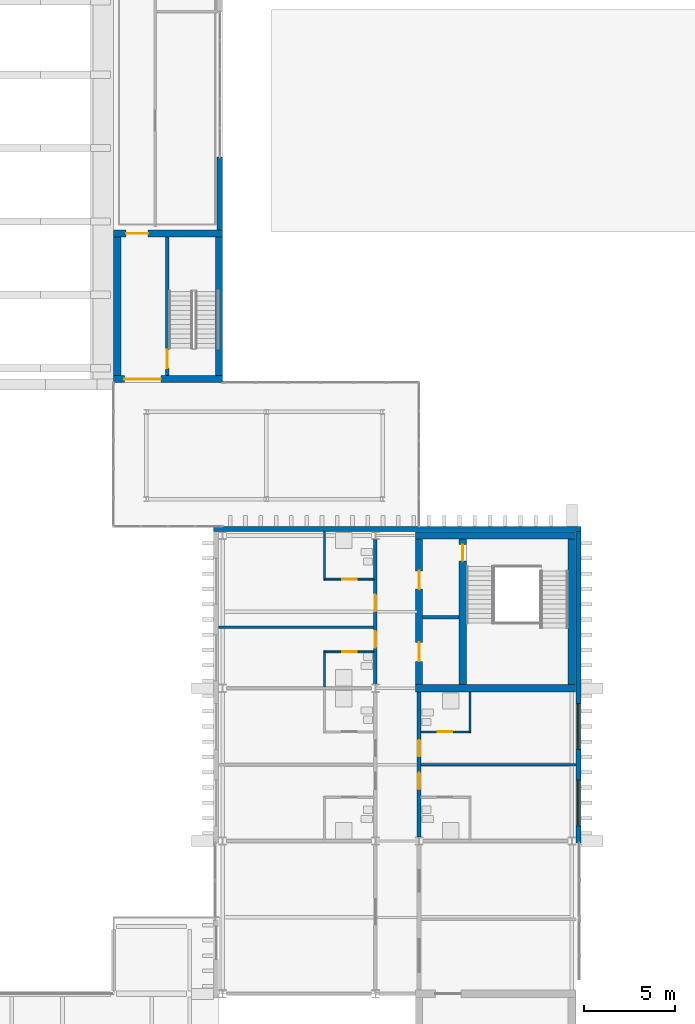
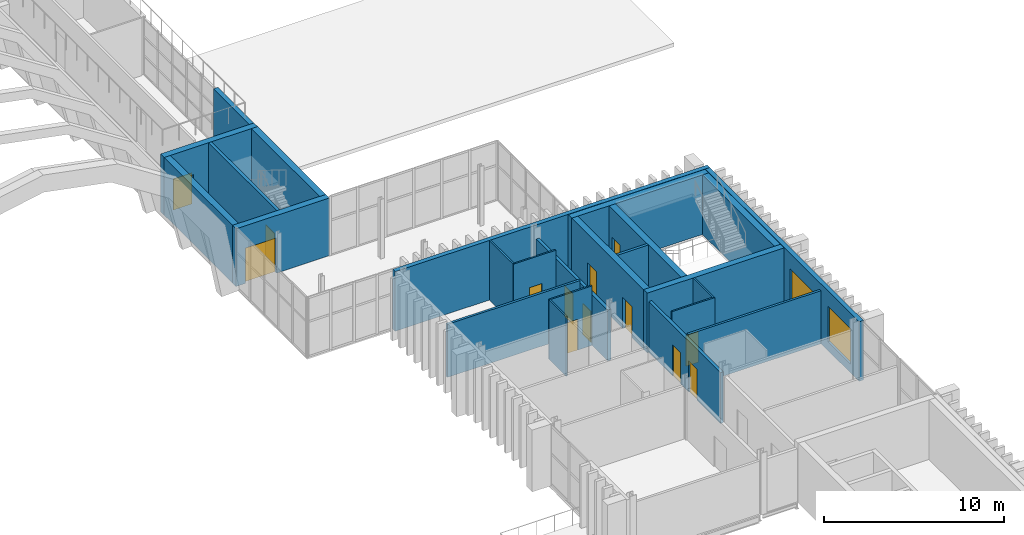
# One storey, part 71 of 96: 24 walls, 13 doors, 2 windows, 15 openings.
"""IFC4 building model written with IfcOpenShell, lengths in metres."""

from ifc_helpers import new_model, si_unit, direction, frame, frame_2d, origin, place, context, subcontext, project, spatial, rectangle, extrude, material, layer, layer_set, type_object, element, fill, save


model = new_model("IFC4")

# Units and contexts
model_context = context("Model", 3, precision=1e-05, world=origin(), true_north=direction((0.0, 1.0)))
body_context = subcontext(model_context, "Body", "Model", "MODEL_VIEW")
ifc_project = project(units=[si_unit("LENGTHUNIT", "METRE"), si_unit("AREAUNIT", "SQUARE_METRE"), si_unit("VOLUMEUNIT", "CUBIC_METRE"), si_unit("PLANEANGLEUNIT", "RADIAN"), si_unit("MASSUNIT", "GRAM", prefix="KILO")], contexts=[model_context])

# Site, building, storey
site_placement = place(None, origin())
site = spatial("IfcSite", under=ifc_project, at=site_placement, CompositionType="ELEMENT")
building_placement = place(site_placement, origin())
building = spatial("IfcBuilding", under=site, at=building_placement, Name="Cresset Court Congress Hotel", CompositionType="ELEMENT")
storey_placement = place(building_placement, frame((0.0, 0.0, 6.0)))
storey = spatial("IfcBuildingStorey", under=building, at=storey_placement, Name="L01", CompositionType="ELEMENT", Elevation=6.0)

# Wall, openings, doors
ifc_material_1 = material(Name="Gypsum board partition")
ifc_layer_1 = layer(ifc_material_1, 0.199951171875)
ifc_layer_set_1 = layer_set([ifc_layer_1], Name="Corridor wall 200")
wall_type_1 = type_object("IfcWallType", Name="Corridor wall 200", PredefinedType="PARTITIONING", material=ifc_layer_set_1)
wall_1_placement = place(storey_placement, frame((165.60009765625, 59.013916015625, 0.0), z_axis=(0.0, 0.0, 1.0), x_axis=(0.0, 1.0, 0.0)))
wall_1 = element("IfcWall", 1, at=wall_1_placement, inside=storey, type_object=wall_type_1, Name="A.wl.L01.024", PredefinedType="PARTITIONING", context=body_context, shape_type="SweptSolid", body=[
    extrude(rectangle(XDim=7.97216796875, YDim=0.199951171875, at=frame_2d((3.986083984375, 0.0))), origin(), (0.0, 0.0, 1.0), 3.449951171875),
])
opening_1_placement = place(wall_1_placement, frame((2.01611328125, 0.0, 0.0)))
opening_1 = element("IfcOpeningElement", 2, at=opening_1_placement, cuts=wall_1, Name="Opening DA-01-06", PredefinedType="OPENING", context=body_context, shape_type="SweptSolid", body=[
    extrude(rectangle(XDim=0.89990234375, YDim=2.10009765625, at=frame_2d((0.449951171875, 1.050048828125))), frame((0.0, 0.10986328125, 0.0), z_axis=(0.0, -1.0, 0.0), x_axis=(1.0, 0.0, 0.0)), (0.0, 0.0, 1.0), 0.219970703125),
])
opening_2_placement = place(wall_1_placement, frame((4.01611328125, 0.0, 0.0)))
opening_2 = element("IfcOpeningElement", 3, at=opening_2_placement, cuts=wall_1, Name="Opening DA-01-08", PredefinedType="OPENING", context=body_context, shape_type="SweptSolid", body=[
    extrude(rectangle(XDim=0.89990234375, YDim=2.10009765625, at=frame_2d((0.449951171875, 1.050048828125))), frame((0.0, 0.10986328125, 0.0), z_axis=(0.0, -1.0, 0.0), x_axis=(1.0, 0.0, 0.0)), (0.0, 0.0, 1.0), 0.219970703125),
])
ifc_material_2 = material(Name="timber", Category="wood")
door_type_1 = type_object("IfcDoorType", Name="Guest-room entry door 900x2100 FD30S", OperationType="SINGLE_SWING_LEFT", PredefinedType="DOOR", material=ifc_material_2)
door_1_placement = place(opening_1_placement, origin())
door_1 = element("IfcDoor", 4, at=door_1_placement, inside=storey, type_object=door_type_1, Name="Door DA-01-06", OperationType="SINGLE_SWING_RIGHT", OverallHeight=2.10009765625, OverallWidth=0.89990234375, PredefinedType="DOOR", context=body_context, shape_type="SweptSolid", body=[
    extrude(rectangle(XDim=0.89990234375, YDim=2.10009765625, at=frame_2d((0.449951171875, 1.050048828125))), frame((0.0, 0.02490234375, 0.0), z_axis=(0.0, -1.0, 0.0), x_axis=(1.0, 0.0, 0.0)), (0.0, 0.0, 1.0), 0.050048828125),
])
fill(opening_1, door_1)
door_2_placement = place(opening_2_placement, origin())
door_2 = element("IfcDoor", 5, at=door_2_placement, inside=storey, type_object=door_type_1, Name="Door DA-01-08", OperationType="SINGLE_SWING_LEFT", OverallHeight=2.10009765625, OverallWidth=0.89990234375, PredefinedType="DOOR", context=body_context, shape_type="SweptSolid", body=[
    extrude(rectangle(XDim=0.89990234375, YDim=2.10009765625, at=frame_2d((0.449951171875, 1.050048828125))), frame((0.0, 0.02490234375, 0.0), z_axis=(0.0, -1.0, 0.0), x_axis=(1.0, 0.0, 0.0)), (0.0, 0.0, 1.0), 0.050048828125),
])
fill(opening_2, door_2)

wall_2_placement = place(storey_placement, frame((168.0, 50.614013671875, 0.0), z_axis=(0.0, 0.0, 1.0), x_axis=(0.0, 1.0, 0.0)))
wall_2 = element("IfcWall", 6, at=wall_2_placement, inside=storey, type_object=wall_type_1, Name="A.wl.L01.026", PredefinedType="PARTITIONING", context=body_context, shape_type="SweptSolid", body=[
    extrude(rectangle(XDim=7.986083984375, YDim=0.199951171875, at=frame_2d((3.9931640625, 0.0))), origin(), (0.0, 0.0, 1.0), 3.449951171875),
])
opening_3_placement = place(wall_2_placement, frame((2.635986328125, 0.0, 0.0)))
opening_3 = element("IfcOpeningElement", 7, at=opening_3_placement, cuts=wall_2, Name="Opening DA-01-10", PredefinedType="OPENING", context=body_context, shape_type="SweptSolid", body=[
    extrude(rectangle(XDim=0.89990234375, YDim=2.10009765625, at=frame_2d((0.449951171875, 1.050048828125))), frame((0.0, 0.10986328125, 0.0), z_axis=(0.0, -1.0, 0.0), x_axis=(1.0, 0.0, 0.0)), (0.0, 0.0, 1.0), 0.219970703125),
])
opening_4_placement = place(wall_2_placement, frame((4.43603515625, 0.0, 0.0)))
opening_4 = element("IfcOpeningElement", 8, at=opening_4_placement, cuts=wall_2, Name="Opening DA-01-12", PredefinedType="OPENING", context=body_context, shape_type="SweptSolid", body=[
    extrude(rectangle(XDim=0.89990234375, YDim=2.10009765625, at=frame_2d((0.449951171875, 1.050048828125))), frame((0.0, 0.10986328125, 0.0), z_axis=(0.0, -1.0, 0.0), x_axis=(1.0, 0.0, 0.0)), (0.0, 0.0, 1.0), 0.219970703125),
])
door_3_placement = place(opening_3_placement, origin())
door_3 = element("IfcDoor", 9, at=door_3_placement, inside=storey, type_object=door_type_1, Name="Door DA-01-10", OperationType="SINGLE_SWING_RIGHT", OverallHeight=2.10009765625, OverallWidth=0.89990234375, PredefinedType="DOOR", context=body_context, shape_type="SweptSolid", body=[
    extrude(rectangle(XDim=0.89990234375, YDim=2.10009765625, at=frame_2d((0.449951171875, 1.050048828125))), frame((0.0, 0.02490234375, 0.0), z_axis=(0.0, -1.0, 0.0), x_axis=(1.0, 0.0, 0.0)), (0.0, 0.0, 1.0), 0.050048828125),
])
fill(opening_3, door_3)
door_4_placement = place(opening_4_placement, origin())
door_4 = element("IfcDoor", 10, at=door_4_placement, inside=storey, type_object=door_type_1, Name="Door DA-01-12", OperationType="SINGLE_SWING_LEFT", OverallHeight=2.10009765625, OverallWidth=0.89990234375, PredefinedType="DOOR", context=body_context, shape_type="SweptSolid", body=[
    extrude(rectangle(XDim=0.89990234375, YDim=2.10009765625, at=frame_2d((0.449951171875, 1.050048828125))), frame((0.0, 0.02490234375, 0.0), z_axis=(0.0, -1.0, 0.0), x_axis=(1.0, 0.0, 0.0)), (0.0, 0.0, 1.0), 0.050048828125),
])
fill(opening_4, door_4)

# Wall
ifc_material_3 = material(Name="Gypsum board partition")
ifc_layer_2 = layer(ifc_material_3, 0.10009765625)
ifc_layer_set_2 = layer_set([ifc_layer_2], Name="En-suite wall 100")
wall_type_2 = type_object("IfcWallType", Name="En-suite wall 100", PredefinedType="PARTITIONING", material=ifc_layer_set_2)
wall_3_placement = place(storey_placement, frame((162.800048828125, 58.875, 0.0), z_axis=(0.0, 0.0, 1.0), x_axis=(0.0, 1.0, 0.0)))
element("IfcWall", 11, at=wall_3_placement, inside=storey, type_object=wall_type_2, Name="A.wl.L01.006", PredefinedType="PARTITIONING", context=body_context, shape_type="SweptSolid", body=[
    extrude(rectangle(XDim=1.925048828125, YDim=0.10009765625, at=frame_2d((0.96240234375, 0.0))), origin(), (0.0, 0.0, 1.0), 4.050048828125),
])

# Wall, opening, door
wall_4_placement = place(storey_placement, frame((162.75, 60.800048828125, 0.0), z_axis=(0.0, 0.0, 1.0), x_axis=(1.0, 0.0, 0.0)))
wall_4 = element("IfcWall", 12, at=wall_4_placement, inside=storey, type_object=wall_type_2, Name="A.wl.L01.007", PredefinedType="PARTITIONING", context=body_context, shape_type="SweptSolid", body=[
    extrude(rectangle(XDim=2.75, YDim=0.10009765625, at=frame_2d((1.375, 0.0))), origin(), (0.0, 0.0, 1.0), 4.050048828125),
])
opening_5_placement = place(wall_4_placement, frame((1.030029296875, 0.0, 0.0)))
opening_5 = element("IfcOpeningElement", 13, at=opening_5_placement, cuts=wall_4, Name="Opening DA-01-05", PredefinedType="OPENING", context=body_context, shape_type="SweptSolid", body=[
    extrude(rectangle(XDim=0.800048828125, YDim=2.10009765625, at=frame_2d((0.39990234375, 1.050048828125))), frame((0.0, 0.06005859375, 0.0), z_axis=(0.0, -1.0, 0.0), x_axis=(1.0, 0.0, 0.0)), (0.0, 0.0, 1.0), 0.1201171875),
])
ifc_material_4 = material(Name="timber", Category="wood")
door_type_2 = type_object("IfcDoorType", Name="En-suite door 800x2100", OperationType="SINGLE_SWING_LEFT", PredefinedType="DOOR", material=ifc_material_4)
door_5_placement = place(opening_5_placement, origin())
door_5 = element("IfcDoor", 14, at=door_5_placement, inside=storey, type_object=door_type_2, Name="Door DA-01-05", OperationType="SINGLE_SWING_RIGHT", OverallHeight=2.10009765625, OverallWidth=0.800048828125, PredefinedType="DOOR", context=body_context, shape_type="SweptSolid", body=[
    extrude(rectangle(XDim=0.800048828125, YDim=2.10009765625, at=frame_2d((0.39990234375, 1.050048828125))), frame((0.0, 0.02490234375, 0.0), z_axis=(0.0, -1.0, 0.0), x_axis=(1.0, 0.0, 0.0)), (0.0, 0.0, 1.0), 0.050048828125),
])
fill(opening_5, door_5)

# Wall
wall_5_placement = place(storey_placement, frame((162.800048828125, 64.800048828125, 0.0), z_axis=(0.0, 0.0, 1.0), x_axis=(0.0, 1.0, 0.0)))
element("IfcWall", 15, at=wall_5_placement, inside=storey, type_object=wall_type_2, Name="A.wl.L01.008", PredefinedType="PARTITIONING", context=body_context, shape_type="SweptSolid", body=[
    extrude(rectangle(XDim=2.619873046875, YDim=0.10009765625, at=frame_2d((1.31005859375, 0.0))), origin(), (0.0, 0.0, 1.0), 4.050048828125),
])

# Wall, opening, door
wall_6_placement = place(storey_placement, frame((162.75, 64.800048828125, 0.0), z_axis=(0.0, 0.0, 1.0), x_axis=(1.0, 0.0, 0.0)))
wall_6 = element("IfcWall", 16, at=wall_6_placement, inside=storey, type_object=wall_type_2, Name="A.wl.L01.009", PredefinedType="PARTITIONING", context=body_context, shape_type="SweptSolid", body=[
    extrude(rectangle(XDim=2.75, YDim=0.10009765625, at=frame_2d((1.375, 0.0))), origin(), (0.0, 0.0, 1.0), 4.050048828125),
])
opening_6_placement = place(wall_6_placement, frame((1.030029296875, 0.0, 0.0)))
opening_6 = element("IfcOpeningElement", 17, at=opening_6_placement, cuts=wall_6, Name="Opening DA-01-07", PredefinedType="OPENING", context=body_context, shape_type="SweptSolid", body=[
    extrude(rectangle(XDim=0.800048828125, YDim=2.10009765625, at=frame_2d((0.39990234375, 1.050048828125))), frame((0.0, 0.06005859375, 0.0), z_axis=(0.0, -1.0, 0.0), x_axis=(1.0, 0.0, 0.0)), (0.0, 0.0, 1.0), 0.1201171875),
])
door_6_placement = place(opening_6_placement, origin())
door_6 = element("IfcDoor", 18, at=door_6_placement, inside=storey, type_object=door_type_2, Name="Door DA-01-07", OperationType="SINGLE_SWING_LEFT", OverallHeight=2.10009765625, OverallWidth=0.800048828125, PredefinedType="DOOR", context=body_context, shape_type="SweptSolid", body=[
    extrude(rectangle(XDim=0.800048828125, YDim=2.10009765625, at=frame_2d((0.39990234375, 1.050048828125))), frame((0.0, 0.02490234375, 0.0), z_axis=(0.0, -1.0, 0.0), x_axis=(1.0, 0.0, 0.0)), (0.0, 0.0, 1.0), 0.050048828125),
])
fill(opening_6, door_6)

# Wall
wall_7_placement = place(storey_placement, frame((170.800048828125, 56.39990234375, 0.0), z_axis=(0.0, 0.0, 1.0), x_axis=(0.0, 1.0, 0.0)))
element("IfcWall", 19, at=wall_7_placement, inside=storey, type_object=wall_type_2, Name="A.wl.L01.012", PredefinedType="PARTITIONING", context=body_context, shape_type="SweptSolid", body=[
    extrude(rectangle(XDim=2.2001953125, YDim=0.10009765625, at=frame_2d((1.10009765625, 0.0))), origin(), (0.0, 0.0, 1.0), 4.050048828125),
])

# Wall, opening, door
wall_8_placement = place(storey_placement, frame((170.85009765625, 56.39990234375, 0.0), z_axis=(0.0, 0.0, 1.0), x_axis=(-1.0, 0.0, 0.0)))
wall_8 = element("IfcWall", 20, at=wall_8_placement, inside=storey, type_object=wall_type_2, Name="A.wl.L01.013", PredefinedType="PARTITIONING", context=body_context, shape_type="SweptSolid", body=[
    extrude(rectangle(XDim=2.75, YDim=0.10009765625, at=frame_2d((1.375, 0.0))), origin(), (0.0, 0.0, 1.0), 4.050048828125),
])
opening_7_placement = place(wall_8_placement, frame((1.030029296875, 0.0, 0.0)))
opening_7 = element("IfcOpeningElement", 21, at=opening_7_placement, cuts=wall_8, Name="Opening DA-01-11", PredefinedType="OPENING", context=body_context, shape_type="SweptSolid", body=[
    extrude(rectangle(XDim=0.800048828125, YDim=2.10009765625, at=frame_2d((0.39990234375, 1.050048828125))), frame((0.0, 0.06005859375, 0.0), z_axis=(0.0, -1.0, 0.0), x_axis=(1.0, 0.0, 0.0)), (0.0, 0.0, 1.0), 0.1201171875),
])
door_7_placement = place(opening_7_placement, origin())
door_7 = element("IfcDoor", 22, at=door_7_placement, inside=storey, type_object=door_type_2, Name="Door DA-01-11", OperationType="SINGLE_SWING_LEFT", OverallHeight=2.10009765625, OverallWidth=0.800048828125, PredefinedType="DOOR", context=body_context, shape_type="SweptSolid", body=[
    extrude(rectangle(XDim=0.800048828125, YDim=2.10009765625, at=frame_2d((0.39990234375, 1.050048828125))), frame((0.0, 0.02490234375, 0.0), z_axis=(0.0, -1.0, 0.0), x_axis=(1.0, 0.0, 0.0)), (0.0, 0.0, 1.0), 0.050048828125),
])
fill(opening_7, door_7)

# Wall, openings, windows
ifc_material_5 = material(Name="Precast concrete C50", Category="concrete")
ifc_layer_3 = layer(ifc_material_5, 0.280029296875)
ifc_layer_set_3 = layer_set([ifc_layer_3], Name="External wall 280")
wall_type_3 = type_object("IfcWallType", Name="External wall 280", PredefinedType="SOLIDWALL", material=ifc_layer_set_3)
wall_9_placement = place(storey_placement, frame((176.760009765625, 50.300048828125, 0.0), z_axis=(0.0, 0.0, 1.0), x_axis=(0.0, 1.0, 0.0)))
wall_9 = element("IfcWall", 23, at=wall_9_placement, inside=storey, type_object=wall_type_3, Name="A.ew.L01.E.1", PredefinedType="SOLIDWALL", context=body_context, shape_type="SweptSolid", body=[
    extrude(rectangle(XDim=17.119873046875, YDim=0.280029296875, at=frame_2d((8.56005859375, 0.0))), origin(), (0.0, 0.0, 1.0), 4.050048828125),
])
opening_8_placement = place(wall_9_placement, frame((0.93994140625, 0.0, 0.60009765625)))
opening_8 = element("IfcOpeningElement", 24, at=opening_8_placement, cuts=wall_9, Name="Opening NA-01-05", PredefinedType="OPENING", context=body_context, shape_type="SweptSolid", body=[
    extrude(rectangle(XDim=2.52001953125, YDim=2.39990234375, at=frame_2d((1.260009765625, 1.199951171875))), frame((0.0, 0.14990234375, 0.0), z_axis=(0.0, -1.0, 0.0), x_axis=(1.0, 0.0, 0.0)), (0.0, 0.0, 1.0), 0.300048828125),
])
opening_9_placement = place(wall_9_placement, frame((5.139892578125, 0.0, 0.60009765625)))
opening_9 = element("IfcOpeningElement", 25, at=opening_9_placement, cuts=wall_9, Name="Opening NA-01-06", PredefinedType="OPENING", context=body_context, shape_type="SweptSolid", body=[
    extrude(rectangle(XDim=2.52001953125, YDim=2.39990234375, at=frame_2d((1.260009765625, 1.199951171875))), frame((0.0, 0.14990234375, 0.0), z_axis=(0.0, -1.0, 0.0), x_axis=(1.0, 0.0, 0.0)), (0.0, 0.0, 1.0), 0.300048828125),
])
ifc_material_6 = material(Name="Aluminium and glass", Category="aluminium")
window_type = type_object("IfcWindowType", Name="Window 2520x2400", PartitioningType="SINGLE_PANEL", PredefinedType="WINDOW", material=ifc_material_6)
window_1_placement = place(opening_8_placement, origin())
window_1 = element("IfcWindow", 26, at=window_1_placement, inside=storey, type_object=window_type, Name="Window NA-01-05", OverallHeight=2.39990234375, OverallWidth=2.52001953125, PartitioningType="SINGLE_PANEL", PredefinedType="WINDOW", context=body_context, shape_type="SweptSolid", body=[
    extrude(rectangle(XDim=2.52001953125, YDim=2.39990234375, at=frame_2d((1.260009765625, 1.199951171875))), frame((0.0, 0.030029296875, 0.0), z_axis=(0.0, -1.0, 0.0), x_axis=(1.0, 0.0, 0.0)), (0.0, 0.0, 1.0), 0.06005859375),
])
fill(opening_8, window_1)
window_2_placement = place(opening_9_placement, origin())
window_2 = element("IfcWindow", 27, at=window_2_placement, inside=storey, type_object=window_type, Name="Window NA-01-06", OverallHeight=2.39990234375, OverallWidth=2.52001953125, PartitioningType="SINGLE_PANEL", PredefinedType="WINDOW", context=body_context, shape_type="SweptSolid", body=[
    extrude(rectangle(XDim=2.52001953125, YDim=2.39990234375, at=frame_2d((1.260009765625, 1.199951171875))), frame((0.0, 0.030029296875, 0.0), z_axis=(0.0, -1.0, 0.0), x_axis=(1.0, 0.0, 0.0)), (0.0, 0.0, 1.0), 0.06005859375),
])
fill(opening_9, window_2)

# Walls
ifc_material_7 = material(Name="Precast concrete C50", Category="concrete")
ifc_layer_4 = layer(ifc_material_7, 0.280029296875)
ifc_layer_set_4 = layer_set([ifc_layer_4], Name="Gable end wall 280")
wall_type_4 = type_object("IfcWallType", Name="Gable end wall 280", PredefinedType="SOLIDWALL", material=ifc_layer_set_4)
wall_10_placement = place(storey_placement, frame((156.699951171875, 67.56005859375, 0.0), z_axis=(0.0, 0.0, 1.0), x_axis=(1.0, 0.0, 0.0)))
element("IfcWall", 28, at=wall_10_placement, inside=storey, type_object=wall_type_4, Name="A.ew.L01.N.1", PredefinedType="SOLIDWALL", context=body_context, shape_type="SweptSolid", body=[
    extrude(rectangle(XDim=20.199951171875, YDim=0.280029296875, at=frame_2d((10.10009765625, 0.0))), origin(), (0.0, 0.0, 1.0), 4.050048828125),
])
ifc_material_8 = material(Name="Gypsum board partition")
ifc_layer_5 = layer(ifc_material_8, 0.14990234375)
ifc_layer_set_5 = layer_set([ifc_layer_5], Name="Guest-room partition 150")
wall_type_5 = type_object("IfcWallType", Name="Guest-room partition 150", PredefinedType="PARTITIONING", material=ifc_layer_set_5)
for number, where, z_axis, x_axis, name in (
    (29, (156.97998046875, 62.159912109375, 0.0), (0.0, 0.0, 1.0), (1.0, 0.0, 0.0), "A.wl.L01.018"),
    (30, (168.10009765625, 54.60009765625, 0.0), (0.0, 0.0, 1.0), (1.0, 0.0, 0.0), "A.wl.L01.019"),
):
    element("IfcWall", number, at=place(storey_placement, frame(where, z_axis=z_axis, x_axis=x_axis)), inside=storey, type_object=wall_type_5, Name=name, PredefinedType="PARTITIONING", context=body_context, shape_type="SweptSolid", body=[
        extrude(rectangle(XDim=8.52001953125, YDim=0.14990234375, at=frame_2d((4.260009765625, 0.0))), origin(), (0.0, 0.0, 1.0), 3.60400390625),
    ])

# Wall, opening, door
ifc_material_9 = material(Name="Concrete C50", Category="concrete")
ifc_layer_6 = layer(ifc_material_9, 0.39990234375)
ifc_layer_set_6 = layer_set([ifc_layer_6], Name="RC core wall 400 C50")
wall_type_6 = type_object("IfcWallType", Name="RC core wall 400 C50", PredefinedType="SOLIDWALL", material=ifc_layer_set_6)
wall_11_placement = place(storey_placement, frame((151.199951171875, 83.800048828125, 0.0), z_axis=(0.0, 0.0, 1.0), x_axis=(1.0, 0.0, 0.0)))
wall_11 = element("IfcWall", 31, at=wall_11_placement, inside=storey, type_object=wall_type_6, Name="ST-E2 north wall", PredefinedType="SOLIDWALL", context=body_context, shape_type="SweptSolid", body=[
    extrude(rectangle(XDim=6.0, YDim=0.39990234375, at=frame_2d((3.0, 0.0))), origin(), (0.0, 0.0, 1.0), 3.919921875),
])
opening_10_placement = place(wall_11_placement, frame((0.699951171875, 0.0, 0.0)))
opening_10 = element("IfcOpeningElement", 32, at=opening_10_placement, cuts=wall_11, Name="Opening DE-01-07", PredefinedType="OPENING", context=body_context, shape_type="SweptSolid", body=[
    extrude(rectangle(XDim=1.199951171875, YDim=2.10009765625, at=frame_2d((0.60009765625, 1.050048828125))), frame((0.0, 0.2099609375, 0.0), z_axis=(0.0, -1.0, 0.0), x_axis=(1.0, 0.0, 0.0)), (0.0, 0.0, 1.0), 0.419921875),
])
ifc_material_10 = material(Name="Timber door leaf", Category="wood")
door_type_3 = type_object("IfcDoorType", Name="Stair lobby door 1200x2100", OperationType="SINGLE_SWING_LEFT", PredefinedType="DOOR", material=ifc_material_10)
door_8_placement = place(opening_10_placement, origin())
door_8 = element("IfcDoor", 33, at=door_8_placement, inside=storey, type_object=door_type_3, Name="Stair lobby door DE-01-07", OperationType="SINGLE_SWING_LEFT", OverallHeight=2.10009765625, OverallWidth=1.199951171875, PredefinedType="DOOR", context=body_context, shape_type="SweptSolid", body=[
    extrude(rectangle(XDim=1.199951171875, YDim=2.10009765625, at=frame_2d((0.60009765625, 1.050048828125))), frame((0.0, 0.02490234375, 0.0), z_axis=(0.0, -1.0, 0.0), x_axis=(1.0, 0.0, 0.0)), (0.0, 0.0, 1.0), 0.050048828125),
])
fill(opening_10, door_8)

# Wall
wall_12_placement = place(storey_placement, frame((151.39990234375, 76.0, 0.0), z_axis=(0.0, 0.0, 1.0), x_axis=(0.0, 1.0, 0.0)))
element("IfcWall", 34, at=wall_12_placement, inside=storey, type_object=wall_type_6, Name="ST-E2 west wall", PredefinedType="SOLIDWALL", context=body_context, shape_type="SweptSolid", body=[
    extrude(rectangle(XDim=7.60009765625, YDim=0.39990234375, at=frame_2d((3.800048828125, 0.0))), origin(), (0.0, 0.0, 1.0), 3.919921875),
])

# Wall, opening, door
ifc_material_11 = material(Name="Concrete C50", Category="concrete")
ifc_layer_7 = layer(ifc_material_11, 0.39990234375)
ifc_layer_set_7 = layer_set([ifc_layer_7], Name="RC core wall 400 C50 external")
wall_type_7 = type_object("IfcWallType", Name="RC core wall 400 C50 external", PredefinedType="SOLIDWALL", material=ifc_layer_set_7)
wall_13_placement = place(storey_placement, frame((151.199951171875, 75.800048828125, 0.0), z_axis=(0.0, 0.0, 1.0), x_axis=(1.0, 0.0, 0.0)))
wall_13 = element("IfcWall", 35, at=wall_13_placement, inside=storey, type_object=wall_type_7, Name="ST-E2 south wall", PredefinedType="SOLIDWALL", context=body_context, shape_type="SweptSolid", body=[
    extrude(rectangle(XDim=6.0, YDim=0.39990234375, at=frame_2d((3.0, 0.0))), origin(), (0.0, 0.0, 1.0), 3.919921875),
])
opening_11_placement = place(wall_13_placement, frame((0.60009765625, 0.0, 0.0)))
opening_11 = element("IfcOpeningElement", 36, at=opening_11_placement, cuts=wall_13, Name="Opening DE-01-01", PredefinedType="OPENING", context=body_context, shape_type="SweptSolid", body=[
    extrude(rectangle(XDim=2.0, YDim=2.39990234375, at=frame_2d((1.0, 1.199951171875))), frame((0.0, 0.2099609375, 0.0), z_axis=(0.0, -1.0, 0.0), x_axis=(1.0, 0.0, 0.0)), (0.0, 0.0, 1.0), 0.419921875),
])
ifc_material_12 = material(Name="Timber door leaf", Category="wood")
door_type_4 = type_object("IfcDoorType", Name="Entrance double door 2000x2400", OperationType="DOUBLE_DOOR_SINGLE_SWING", PredefinedType="DOOR", material=ifc_material_12)
door_9_placement = place(opening_11_placement, origin())
door_9 = element("IfcDoor", 37, at=door_9_placement, inside=storey, type_object=door_type_4, Name="Entrance double door DE-01-01", OperationType="DOUBLE_DOOR_SINGLE_SWING", OverallHeight=2.39990234375, OverallWidth=2.0, PredefinedType="DOOR", context=body_context, shape_type="SweptSolid", body=[
    extrude(rectangle(XDim=2.0, YDim=2.39990234375, at=frame_2d((1.0, 1.199951171875))), frame((0.0, 0.02490234375, 0.0), z_axis=(0.0, -1.0, 0.0), x_axis=(1.0, 0.0, 0.0)), (0.0, 0.0, 1.0), 0.050048828125),
])
fill(opening_11, door_9)

# Walls
wall_14_placement = place(storey_placement, frame((157.0, 76.0, 0.0), z_axis=(0.0, 0.0, 1.0), x_axis=(0.0, 1.0, 0.0)))
element("IfcWall", 38, at=wall_14_placement, inside=storey, type_object=wall_type_7, Name="ST-E2 east wall", PredefinedType="SOLIDWALL", context=body_context, shape_type="SweptSolid", body=[
    extrude(rectangle(XDim=7.60009765625, YDim=0.39990234375, at=frame_2d((3.800048828125, 0.0))), origin(), (0.0, 0.0, 1.0), 3.919921875),
])
ifc_material_13 = material(Name="Concrete C40", Category="concrete")
ifc_layer_8 = layer(ifc_material_13, 0.300048828125)
ifc_layer_set_8 = layer_set([ifc_layer_8], Name="RC external wall 300 C40")
wall_type_8 = type_object("IfcWallType", Name="RC external wall 300 C40", PredefinedType="SOLIDWALL", material=ifc_layer_set_8)
wall_15_placement = place(storey_placement, frame((157.050048828125, 84.0, 0.0), z_axis=(0.0, 0.0, 1.0), x_axis=(0.0, 1.0, 0.0)))
element("IfcWall", 39, at=wall_15_placement, inside=storey, type_object=wall_type_8, Name="East external wall L01 south pier", PredefinedType="SOLIDWALL", context=body_context, shape_type="SweptSolid", body=[
    extrude(rectangle(XDim=4.0, YDim=0.300048828125, at=frame_2d((2.0, 0.0))), origin(), (0.0, 0.0, 1.0), 3.919921875),
])

# Wall, opening, door
ifc_material_14 = material(Name="Concrete C40", Category="concrete")
ifc_layer_9 = layer(ifc_material_14, 0.199951171875)
ifc_layer_set_9 = layer_set([ifc_layer_9], Name="RC stair enclosure wall 200 C40")
wall_type_9 = type_object("IfcWallType", Name="RC stair enclosure wall 200 C40", PredefinedType="SOLIDWALL", material=ifc_layer_set_9)
wall_16_placement = place(storey_placement, frame((154.14990234375, 76.0, 0.0), z_axis=(0.0, 0.0, 1.0), x_axis=(0.0, 1.0, 0.0)))
wall_16 = element("IfcWall", 40, at=wall_16_placement, inside=storey, type_object=wall_type_9, Name="ST-E2 stair enclosure wall", PredefinedType="SOLIDWALL", context=body_context, shape_type="SweptSolid", body=[
    extrude(rectangle(XDim=7.60009765625, YDim=0.199951171875, at=frame_2d((3.800048828125, 0.0))), origin(), (0.0, 0.0, 1.0), 3.919921875),
])
opening_12_placement = place(wall_16_placement, frame((0.39990234375, 0.0, 0.0)))
opening_12 = element("IfcOpeningElement", 41, at=opening_12_placement, cuts=wall_16, Name="Opening DE-01-06", PredefinedType="OPENING", context=body_context, shape_type="SweptSolid", body=[
    extrude(rectangle(XDim=1.0, YDim=2.10009765625, at=frame_2d((0.5, 1.050048828125))), frame((0.0, 0.10986328125, 0.0), z_axis=(0.0, -1.0, 0.0), x_axis=(1.0, 0.0, 0.0)), (0.0, 0.0, 1.0), 0.219970703125),
])
ifc_material_15 = material(Name="Timber door leaf", Category="wood")
door_type_5 = type_object("IfcDoorType", Name="Stair door 1000x2100", OperationType="SINGLE_SWING_LEFT", PredefinedType="DOOR", material=ifc_material_15)
door_10_placement = place(opening_12_placement, origin())
door_10 = element("IfcDoor", 42, at=door_10_placement, inside=storey, type_object=door_type_5, Name="Stair door DE-01-06", OperationType="SINGLE_SWING_LEFT", OverallHeight=2.10009765625, OverallWidth=1.0, PredefinedType="DOOR", context=body_context, shape_type="SweptSolid", body=[
    extrude(rectangle(XDim=1.0, YDim=2.10009765625, at=frame_2d((0.5, 1.050048828125))), frame((0.0, 0.02490234375, 0.0), z_axis=(0.0, -1.0, 0.0), x_axis=(1.0, 0.0, 0.0)), (0.0, 0.0, 1.0), 0.050048828125),
])
fill(opening_12, door_10)

# Walls
ifc_material_16 = material(Name="Concrete block wall", Category="concrete")
ifc_layer_10 = layer(ifc_material_16, 0.175048828125)
ifc_layer_set_10 = layer_set([ifc_layer_10], Name="Riser shaft wall 175")
wall_type_10 = type_object("IfcWallType", Name="Riser shaft wall 175", PredefinedType="PARTITIONING", material=ifc_layer_set_10)
wall_17_placement = place(storey_placement, frame((168.199951171875, 62.699951171875, 0.0), z_axis=(0.0, 0.0, 1.0), x_axis=(1.0, 0.0, 0.0)))
element("IfcWall", 43, at=wall_17_placement, inside=storey, type_object=wall_type_10, Name="A.wl.L01.027", PredefinedType="PARTITIONING", context=body_context, shape_type="SweptSolid", body=[
    extrude(rectangle(XDim=2.0, YDim=0.175048828125, at=frame_2d((1.0, 0.0))), origin(), (0.0, 0.0, 1.0), 4.050048828125),
])
ifc_material_17 = material(Name="Concrete C50", Category="concrete")
ifc_layer_11 = layer(ifc_material_17, 0.39990234375)
ifc_layer_set_11 = layer_set([ifc_layer_11], Name="Stair core wall 400")
wall_type_11 = type_object("IfcWallType", Name="Stair core wall 400", PredefinedType="SOLIDWALL", material=ifc_layer_set_11)
for number, where, z_axis, x_axis, name in (
    (44, (167.800048828125, 58.800048828125, 0.0), (0.0, 0.0, 1.0), (1.0, 0.0, 0.0), "A.cw.ST-A2.L01.S"),
    (45, (167.800048828125, 67.199951171875, 0.0), (0.0, 0.0, 1.0), (1.0, 0.0, 0.0), "A.cw.ST-A2.L01.N"),
):
    element("IfcWall", number, at=place(storey_placement, frame(where, z_axis=z_axis, x_axis=x_axis)), inside=storey, type_object=wall_type_11, Name=name, PredefinedType="SOLIDWALL", context=body_context, shape_type="SweptSolid", body=[
        extrude(rectangle(XDim=8.800048828125, YDim=0.39990234375, at=frame_2d((4.39990234375, 0.0))), origin(), (0.0, 0.0, 1.0), 4.050048828125),
    ])

# Wall, openings, doors
wall_18_placement = place(storey_placement, frame((168.0, 59.0, 0.0), z_axis=(0.0, 0.0, 1.0), x_axis=(0.0, 1.0, 0.0)))
wall_18 = element("IfcWall", 46, at=wall_18_placement, inside=storey, type_object=wall_type_11, Name="A.cw.ST-A2.L01.W", PredefinedType="SOLIDWALL", context=body_context, shape_type="SweptSolid", body=[
    extrude(rectangle(XDim=8.0, YDim=0.39990234375, at=frame_2d((4.0, 0.0))), origin(), (0.0, 0.0, 1.0), 4.050048828125),
])
opening_13_placement = place(wall_18_placement, frame((1.27490234375, 0.0, 0.0)))
opening_13 = element("IfcOpeningElement", 47, at=opening_13_placement, cuts=wall_18, Name="Opening DA-01-17", PredefinedType="OPENING", context=body_context, shape_type="SweptSolid", body=[
    extrude(rectangle(XDim=1.050048828125, YDim=2.10009765625, at=frame_2d((0.52490234375, 1.050048828125))), frame((0.0, 0.2099609375, 0.0), z_axis=(0.0, -1.0, 0.0), x_axis=(1.0, 0.0, 0.0)), (0.0, 0.0, 1.0), 0.419921875),
])
opening_14_placement = place(wall_18_placement, frame((5.25, 0.0, 0.0)))
opening_14 = element("IfcOpeningElement", 48, at=opening_14_placement, cuts=wall_18, Name="Opening DA-01-19", PredefinedType="OPENING", context=body_context, shape_type="SweptSolid", body=[
    extrude(rectangle(XDim=1.0, YDim=2.10009765625, at=frame_2d((0.5, 1.050048828125))), frame((0.0, 0.2099609375, 0.0), z_axis=(0.0, -1.0, 0.0), x_axis=(1.0, 0.0, 0.0)), (0.0, 0.0, 1.0), 0.419921875),
])
ifc_material_18 = material(Name="steel", Category="steel")
door_type_6 = type_object("IfcDoorType", Name="Housekeeping room door 1050x2100 FD30", OperationType="SINGLE_SWING_LEFT", PredefinedType="DOOR", material=ifc_material_18)
door_11_placement = place(opening_13_placement, origin())
door_11 = element("IfcDoor", 49, at=door_11_placement, inside=storey, type_object=door_type_6, Name="Door DA-01-17", OperationType="SINGLE_SWING_RIGHT", OverallHeight=2.10009765625, OverallWidth=1.050048828125, PredefinedType="DOOR", context=body_context, shape_type="SweptSolid", body=[
    extrude(rectangle(XDim=1.050048828125, YDim=2.10009765625, at=frame_2d((0.52490234375, 1.050048828125))), frame((0.0, 0.02490234375, 0.0), z_axis=(0.0, -1.0, 0.0), x_axis=(1.0, 0.0, 0.0)), (0.0, 0.0, 1.0), 0.050048828125),
])
fill(opening_13, door_11)
ifc_material_19 = material(Name="steel", Category="steel")
door_type_7 = type_object("IfcDoorType", Name="Lobby door 1000x2100 FD60", OperationType="SINGLE_SWING_LEFT", PredefinedType="DOOR", material=ifc_material_19)
door_12_placement = place(opening_14_placement, origin())
door_12 = element("IfcDoor", 50, at=door_12_placement, inside=storey, type_object=door_type_7, Name="Door DA-01-19", OperationType="SINGLE_SWING_LEFT", OverallHeight=2.10009765625, OverallWidth=1.0, PredefinedType="DOOR", context=body_context, shape_type="SweptSolid", body=[
    extrude(rectangle(XDim=1.0, YDim=2.10009765625, at=frame_2d((0.5, 1.050048828125))), frame((0.0, 0.02490234375, 0.0), z_axis=(0.0, -1.0, 0.0), x_axis=(1.0, 0.0, 0.0)), (0.0, 0.0, 1.0), 0.050048828125),
])
fill(opening_14, door_12)

# Wall
wall_19_placement = place(storey_placement, frame((176.39990234375, 59.0, 0.0), z_axis=(0.0, 0.0, 1.0), x_axis=(0.0, 1.0, 0.0)))
element("IfcWall", 51, at=wall_19_placement, inside=storey, type_object=wall_type_11, Name="A.cw.ST-A2.L01.E", PredefinedType="SOLIDWALL", context=body_context, shape_type="SweptSolid", body=[
    extrude(rectangle(XDim=8.0, YDim=0.39990234375, at=frame_2d((4.0, 0.0))), origin(), (0.0, 0.0, 1.0), 4.050048828125),
])

# Wall, opening, door
wall_20_placement = place(storey_placement, frame((170.39990234375, 59.0, 0.0), z_axis=(0.0, 0.0, 1.0), x_axis=(0.0, 1.0, 0.0)))
wall_20 = element("IfcWall", 52, at=wall_20_placement, inside=storey, type_object=wall_type_11, Name="A.wl.L01.028", PredefinedType="SOLIDWALL", context=body_context, shape_type="SweptSolid", body=[
    extrude(rectangle(XDim=8.0, YDim=0.39990234375, at=frame_2d((4.0, 0.0))), origin(), (0.0, 0.0, 1.0), 4.050048828125),
])
opening_15_placement = place(wall_20_placement, frame((6.800048828125, 0.0, 0.0)))
opening_15 = element("IfcOpeningElement", 53, at=opening_15_placement, cuts=wall_20, Name="Opening DA-01-18", PredefinedType="OPENING", context=body_context, shape_type="SweptSolid", body=[
    extrude(rectangle(XDim=0.89990234375, YDim=2.10009765625, at=frame_2d((0.449951171875, 1.050048828125))), frame((0.0, 0.2099609375, 0.0), z_axis=(0.0, -1.0, 0.0), x_axis=(1.0, 0.0, 0.0)), (0.0, 0.0, 1.0), 0.419921875),
])
ifc_material_20 = material(Name="steel", Category="steel")
door_type_8 = type_object("IfcDoorType", Name="Stair door 900x2100 FD60", OperationType="SINGLE_SWING_LEFT", PredefinedType="DOOR", material=ifc_material_20)
door_13_placement = place(opening_15_placement, origin())
door_13 = element("IfcDoor", 54, at=door_13_placement, inside=storey, type_object=door_type_8, Name="Door DA-01-18", OperationType="SINGLE_SWING_RIGHT", OverallHeight=2.10009765625, OverallWidth=0.89990234375, PredefinedType="DOOR", context=body_context, shape_type="SweptSolid", body=[
    extrude(rectangle(XDim=0.89990234375, YDim=2.10009765625, at=frame_2d((0.449951171875, 1.050048828125))), frame((0.0, 0.02490234375, 0.0), z_axis=(0.0, -1.0, 0.0), x_axis=(1.0, 0.0, 0.0)), (0.0, 0.0, 1.0), 0.050048828125),
])
fill(opening_15, door_13)

save(model, "model.ifc")
